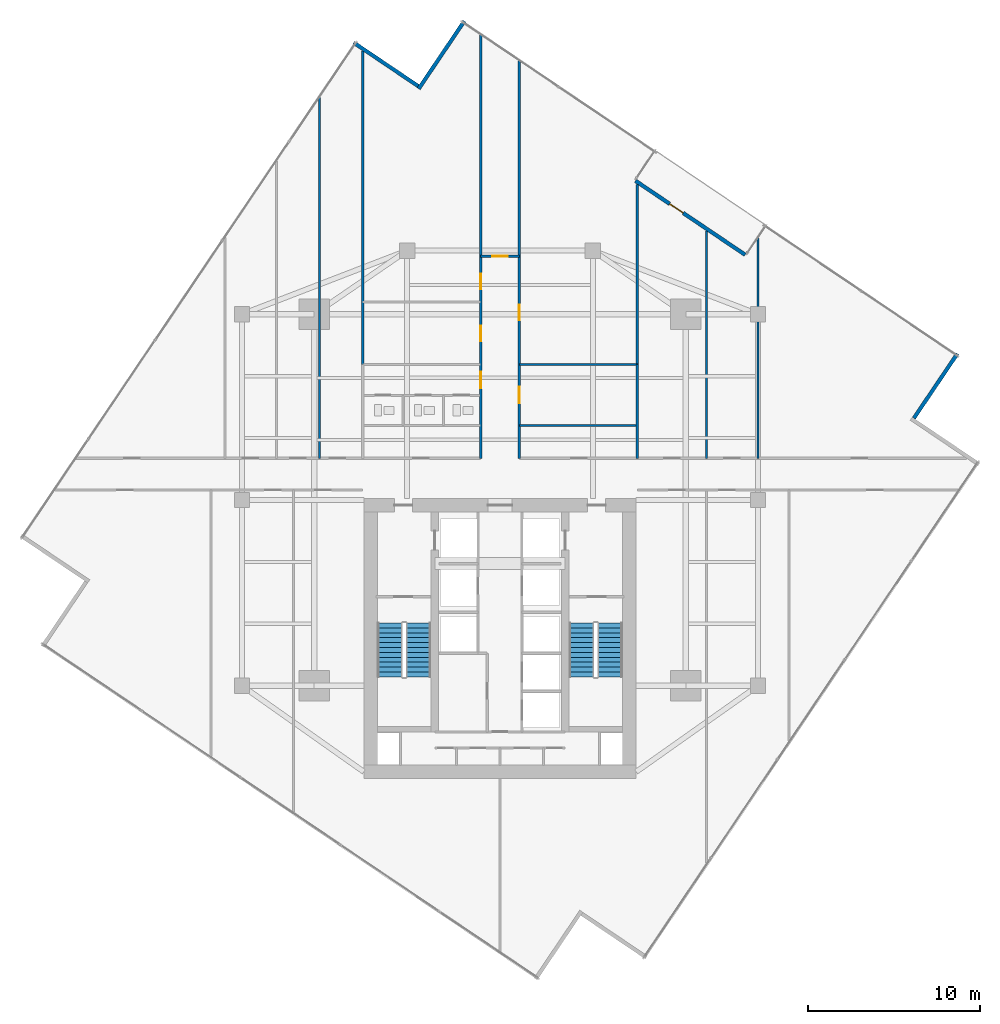
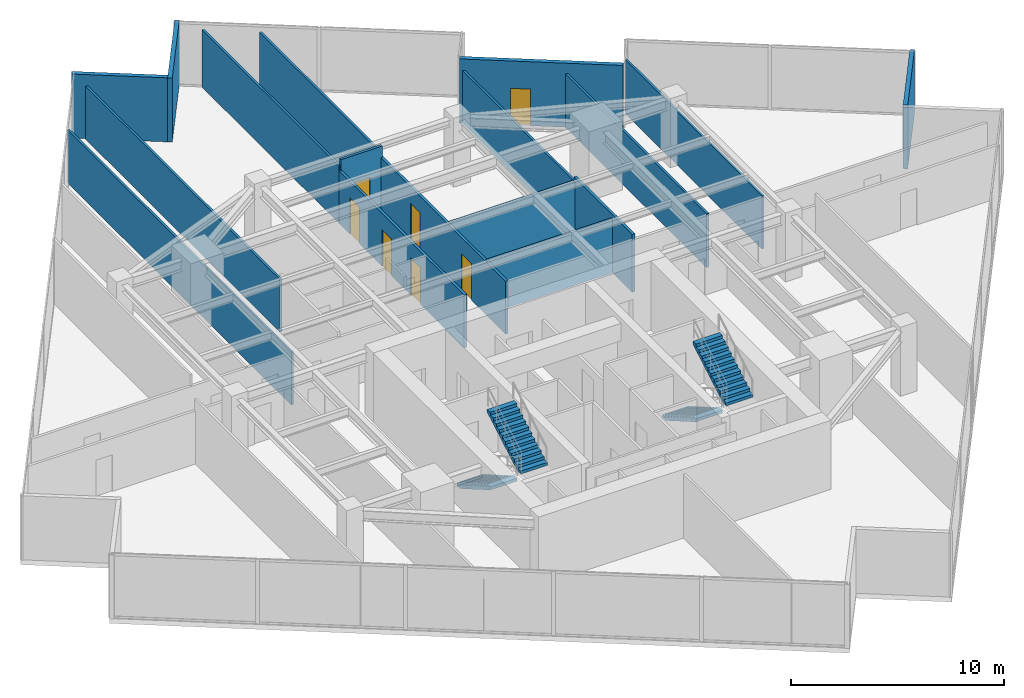
# One storey, part 25 of 27: 17 walls, 7 doors, 4 stair flights, 7 openings, 2 elements without a shape of their own.
"""IFC4 building model written with IfcOpenShell, lengths in metres."""

from ifc_helpers import new_model, si_unit, direction, frame, frame_2d, origin, place, context, subcontext, project, spatial, polyline, rectangle, outline, extrude, material, layer, layer_set, type_object, element, fill, aggregate, save


model = new_model("IFC4")

# Units and contexts
model_context = context("Model", 3, precision=1e-05, world=origin(), true_north=direction((0.0, 1.0)))
body_context = subcontext(model_context, "Body", "Model", "MODEL_VIEW")
ifc_project = project(units=[si_unit("LENGTHUNIT", "METRE"), si_unit("AREAUNIT", "SQUARE_METRE"), si_unit("VOLUMEUNIT", "CUBIC_METRE"), si_unit("PLANEANGLEUNIT", "RADIAN"), si_unit("MASSUNIT", "GRAM", prefix="KILO")], contexts=[model_context])

# Site, building, storey
site_placement = place(None, origin())
site = spatial("IfcSite", under=ifc_project, at=site_placement, CompositionType="ELEMENT")
building_placement = place(site_placement, origin())
building = spatial("IfcBuilding", under=site, at=building_placement, Name="Krantzveldt Concourse Tower", CompositionType="ELEMENT")
storey_placement = place(building_placement, frame((0.0, 0.0, 189.64990234375)))
storey = spatial("IfcBuildingStorey", under=building, at=storey_placement, Name="L46", CompositionType="ELEMENT", Elevation=189.64990234375)

# Walls
ifc_material_1 = material(Name="Anodised aluminium 6063-T6", Category="aluminium")
ifc_layer_1 = layer(ifc_material_1, 0.219970703125, Name="Anodised aluminium 6063-T6", Category="aluminium")
ifc_layer_set_1 = layer_set([ifc_layer_1], Name="Anodised aluminium 6063-T6 (WL-EXT-NOTCH220)")
wall_type_1 = type_object("IfcWallType", Name="WL-EXT-NOTCH220", PredefinedType="ELEMENTEDWALL", material=ifc_layer_set_1)
for number, where, z_axis, x_axis, name in (
    (1, (31.2431640625, 50.763916015625, 0.0), (0.0, 0.0, 1.0), (-0.829025013232, 0.559211522982, 0.0), "EW-L46-NCH00"),
    (2, (60.06396484375, 31.456787109375, 0.0), (0.0, 0.0, 1.0), (0.559211522982, 0.829025013232, 0.0), "EW-L46-NCH09"),
):
    element("IfcWall", number, at=place(storey_placement, frame(where, z_axis=z_axis, x_axis=x_axis)), inside=storey, type_object=wall_type_1, Name=name, PredefinedType="ELEMENTEDWALL", context=body_context, shape_type="SweptSolid", body=[
        extrude(rectangle(XDim=4.525146484375, YDim=0.219970703125, at=frame_2d((2.2626953125, 0.0))), origin(), (0.0, 0.0, 1.0), 3.670166015625),
    ])

# Wall, opening, door
wall_1_placement = place(storey_placement, frame((43.878662109375, 45.2568359375, 0.0), z_axis=(0.0, 0.0, 1.0), x_axis=(0.829039271094, -0.559190385274, 0.0)))
wall_1 = element("IfcWall", 3, at=wall_1_placement, inside=storey, type_object=wall_type_1, Name="EW-L46-TSLOT", PredefinedType="ELEMENTEDWALL", context=body_context, shape_type="SweptSolid", body=[
    extrude(rectangle(XDim=7.690185546875, YDim=0.219970703125, at=frame_2d((3.84521484375, 0.0))), origin(), (0.0, 0.0, 1.0), 3.670166015625),
])
opening_1_placement = place(wall_1_placement, frame((2.396728515625, 0.0, 0.0)))
opening_1 = element("IfcOpeningElement", 4, at=opening_1_placement, cuts=wall_1, Name="Opening D-EX95", PredefinedType="OPENING", context=body_context, shape_type="SweptSolid", body=[
    extrude(rectangle(XDim=0.949951171875, YDim=2.10009765625, at=frame_2d((0.47509765625, 1.050048828125))), frame((0.0, 0.1201171875, 0.0), z_axis=(0.0, -1.0, 0.0), x_axis=(1.0, 0.0, 0.0)), (0.0, 0.0, 1.0), 0.239990234375),
])
door_type_1 = type_object("IfcDoorType", Name="DR-EXT-950", OperationType="SINGLE_SWING_LEFT", PredefinedType="DOOR", material=ifc_material_1)
door_1_placement = place(opening_1_placement, origin())
door_1 = element("IfcDoor", 5, at=door_1_placement, inside=storey, type_object=door_type_1, Name="DR-L46-TERR", OperationType="SINGLE_SWING_LEFT", OverallHeight=2.10009765625, OverallWidth=0.949951171875, PredefinedType="DOOR", context=body_context, shape_type="SweptSolid", body=[
    extrude(rectangle(XDim=0.949951171875, YDim=2.10009765625, at=frame_2d((0.47509765625, 1.050048828125))), frame((0.0, 0.02490234375, 0.0), z_axis=(0.0, -1.0, 0.0), x_axis=(1.0, 0.0, 0.0)), (0.0, 0.0, 1.0), 0.050048828125),
])
fill(opening_1, door_1)

# Walls
wall_2_placement = place(storey_placement, frame((33.92626953125, 54.545166015625, 0.0), z_axis=(0.0, 0.0, 1.0), x_axis=(-0.559180323614, -0.829046057637, 0.0)))
element("IfcWall", 6, at=wall_2_placement, inside=storey, type_object=wall_type_1, Name="EW-L46-NCH15", PredefinedType="ELEMENTEDWALL", context=body_context, shape_type="SweptSolid", body=[
    extrude(rectangle(XDim=4.7451171875, YDim=0.219970703125, at=frame_2d((2.37255859375, 0.0))), origin(), (0.0, 0.0, 1.0), 3.670166015625),
])
ifc_material_2 = material(Name="Fire-rated gypsum plasterboard on steel stud", Category="steel")
ifc_layer_2 = layer(ifc_material_2, 0.1201171875, Name="Fire-rated gypsum plasterboard on steel stud", Category="steel")
ifc_layer_set_2 = layer_set([ifc_layer_2], Name="Fire-rated gypsum plasterboard on steel stud (WL-PART-120)")
wall_type_2 = type_object("IfcWallType", Name="WL-PART-120", PredefinedType="PARTITIONING", material=ifc_layer_set_2)
wall_3_placement = place(storey_placement, frame((37.1201171875, 31.02001953125, 0.0), z_axis=(0.0, 0.0, 1.0), x_axis=(1.0, 0.0, 0.0)))
element("IfcWall", 7, at=wall_3_placement, inside=storey, type_object=wall_type_2, Name="WP-L46-ISMR", PredefinedType="PARTITIONING", context=body_context, shape_type="SweptSolid", body=[
    extrude(rectangle(XDim=6.85986328125, YDim=0.1201171875, at=frame_2d((3.429931640625, 0.0))), origin(), (0.0, 0.0, 1.0), 3.080078125),
])
wall_4_placement = place(storey_placement, frame((34.8798828125, 40.8798828125, 0.0), z_axis=(0.0, 0.0, 1.0), x_axis=(0.0, 1.0, 0.0)))
element("IfcWall", 8, at=wall_4_placement, inside=storey, type_object=wall_type_2, Name="WP-L46-NTL", PredefinedType="PARTITIONING", context=body_context, shape_type="SweptSolid", body=[
    extrude(rectangle(XDim=12.88330078125, YDim=0.1201171875, at=frame_2d((6.441650390625, 0.0))), origin(), (0.0, 0.0, 1.0), 3.280029296875),
])
wall_5_placement = place(storey_placement, frame((37.1201171875, 40.8798828125, 0.0), z_axis=(0.0, 0.0, 1.0), x_axis=(0.0, 1.0, 0.0)))
element("IfcWall", 9, at=wall_5_placement, inside=storey, type_object=wall_type_2, Name="WP-L46-NTR", PredefinedType="PARTITIONING", context=body_context, shape_type="SweptSolid", body=[
    extrude(rectangle(XDim=11.372314453125, YDim=0.1201171875, at=frame_2d((5.68603515625, 0.0))), origin(), (0.0, 0.0, 1.0), 3.280029296875),
])
wall_6_placement = place(storey_placement, frame((25.5, 29.1201171875, 0.0), z_axis=(0.0, 0.0, 1.0), x_axis=(0.0, 1.0, 0.0)))
element("IfcWall", 10, at=wall_6_placement, inside=storey, type_object=wall_type_2, Name="WP-L46-NWX3", PredefinedType="PARTITIONING", context=body_context, shape_type="SweptSolid", body=[
    extrude(rectangle(XDim=21.015625, YDim=0.1201171875, at=frame_2d((10.5078125, 0.0))), origin(), (0.0, 0.0, 1.0), 3.030029296875),
])
wall_7_placement = place(storey_placement, frame((28.02001953125, 34.580078125, 0.0), z_axis=(0.0, 0.0, 1.0), x_axis=(0.0, 1.0, 0.0)))
element("IfcWall", 11, at=wall_7_placement, inside=storey, type_object=wall_type_2, Name="WP-L46-ISWL2", PredefinedType="PARTITIONING", context=body_context, shape_type="SweptSolid", body=[
    extrude(rectangle(XDim=18.21923828125, YDim=0.1201171875, at=frame_2d((9.109619140625, 0.0))), origin(), (0.0, 0.0, 1.0), 3.030029296875),
])
wall_8_placement = place(storey_placement, frame((43.97998046875, 34.580078125, 0.0), z_axis=(0.0, 0.0, 1.0), x_axis=(0.0, 1.0, 0.0)))
element("IfcWall", 12, at=wall_8_placement, inside=storey, type_object=wall_type_2, Name="WP-L46-ISER2", PredefinedType="PARTITIONING", context=body_context, shape_type="SweptSolid", body=[
    extrude(rectangle(XDim=10.4697265625, YDim=0.1201171875, at=frame_2d((5.23486328125, 0.0))), origin(), (0.0, 0.0, 1.0), 3.030029296875),
])
wall_9_placement = place(storey_placement, frame((48.0, 29.1201171875, 0.0), z_axis=(0.0, 0.0, 1.0), x_axis=(0.0, 1.0, 0.0)))
element("IfcWall", 13, at=wall_9_placement, inside=storey, type_object=wall_type_2, Name="WP-L46-NEX1", PredefinedType="PARTITIONING", context=body_context, shape_type="SweptSolid", body=[
    extrude(rectangle(XDim=13.218017578125, YDim=0.1201171875, at=frame_2d((6.60888671875, 0.0))), origin(), (0.0, 0.0, 1.0), 3.080078125),
])
wall_10_placement = place(storey_placement, frame((51.0, 29.1201171875, 0.0), z_axis=(0.0, 0.0, 1.0), x_axis=(0.0, 1.0, 0.0)))
element("IfcWall", 14, at=wall_10_placement, inside=storey, type_object=wall_type_2, Name="WP-L46-NEX2", PredefinedType="PARTITIONING", context=body_context, shape_type="SweptSolid", body=[
    extrude(rectangle(XDim=12.86181640625, YDim=0.1201171875, at=frame_2d((6.430908203125, 0.0))), origin(), (0.0, 0.0, 1.0), 3.080078125),
])

# Wall, openings, doors
ifc_layer_3 = layer(ifc_material_2, 0.139892578125, Name="Fire-rated gypsum plasterboard on steel stud", Category="steel")
ifc_layer_set_3 = layer_set([ifc_layer_3], Name="Fire-rated gypsum plasterboard on steel stud (WL-PART-140)")
wall_type_3 = type_object("IfcWallType", Name="WL-PART-140", PredefinedType="PARTITIONING", material=ifc_layer_set_3)
wall_11_placement = place(storey_placement, frame((34.8798828125, 29.1201171875, 0.0), z_axis=(0.0, 0.0, 1.0), x_axis=(0.0, 1.0, 0.0)))
wall_11 = element("IfcWall", 15, at=wall_11_placement, inside=storey, type_object=wall_type_3, Name="WP-L46-SPWL", PredefinedType="PARTITIONING", context=body_context, shape_type="SweptSolid", body=[
    extrude(rectangle(XDim=11.759765625, YDim=0.139892578125, at=frame_2d((5.8798828125, 0.0))), origin(), (0.0, 0.0, 1.0), 3.030029296875),
])
opening_2_placement = place(wall_11_placement, frame((4.0849609375, 0.0, 0.0)))
opening_2 = element("IfcOpeningElement", 16, at=opening_2_placement, cuts=wall_11, Name="Opening D-IN095", PredefinedType="OPENING", context=body_context, shape_type="SweptSolid", body=[
    extrude(rectangle(XDim=0.949951171875, YDim=2.10009765625, at=frame_2d((0.47509765625, 1.050048828125))), frame((0.0, 0.080078125, 0.0), z_axis=(0.0, -1.0, 0.0), x_axis=(1.0, 0.0, 0.0)), (0.0, 0.0, 1.0), 0.159912109375),
])
opening_3_placement = place(wall_11_placement, frame((6.820068359375, 0.0, 0.0)))
opening_3 = element("IfcOpeningElement", 17, at=opening_3_placement, cuts=wall_11, Name="Opening D-IN090", PredefinedType="OPENING", context=body_context, shape_type="SweptSolid", body=[
    extrude(rectangle(XDim=0.89990234375, YDim=2.10009765625, at=frame_2d((0.449951171875, 1.050048828125))), frame((0.0, 0.080078125, 0.0), z_axis=(0.0, -1.0, 0.0), x_axis=(1.0, 0.0, 0.0)), (0.0, 0.0, 1.0), 0.159912109375),
])
opening_4_placement = place(wall_11_placement, frame((9.830078125, 0.0, 0.0)))
opening_4 = element("IfcOpeningElement", 18, at=opening_4_placement, cuts=wall_11, Name="Opening D-IN090", PredefinedType="OPENING", context=body_context, shape_type="SweptSolid", body=[
    extrude(rectangle(XDim=0.89990234375, YDim=2.10009765625, at=frame_2d((0.449951171875, 1.050048828125))), frame((0.0, 0.080078125, 0.0), z_axis=(0.0, -1.0, 0.0), x_axis=(1.0, 0.0, 0.0)), (0.0, 0.0, 1.0), 0.159912109375),
])
ifc_material_3 = material(Name="Hardwood timber", Category="wood")
door_type_2 = type_object("IfcDoorType", Name="DR-INT-900", OperationType="SINGLE_SWING_LEFT", PredefinedType="DOOR", material=ifc_material_3)
door_2_placement = place(opening_3_placement, origin())
door_2 = element("IfcDoor", 19, at=door_2_placement, inside=storey, type_object=door_type_2, Name="DR-L46-NWI1", OperationType="SINGLE_SWING_LEFT", OverallHeight=2.10009765625, OverallWidth=0.89990234375, PredefinedType="DOOR", context=body_context, shape_type="SweptSolid", body=[
    extrude(rectangle(XDim=0.89990234375, YDim=2.10009765625, at=frame_2d((0.449951171875, 1.050048828125))), frame((0.0, 0.02490234375, 0.0), z_axis=(0.0, -1.0, 0.0), x_axis=(1.0, 0.0, 0.0)), (0.0, 0.0, 1.0), 0.050048828125),
])
fill(opening_3, door_2)
door_3_placement = place(opening_4_placement, origin())
door_3 = element("IfcDoor", 20, at=door_3_placement, inside=storey, type_object=door_type_2, Name="DR-L46-NWI2", OperationType="SINGLE_SWING_LEFT", OverallHeight=2.10009765625, OverallWidth=0.89990234375, PredefinedType="DOOR", context=body_context, shape_type="SweptSolid", body=[
    extrude(rectangle(XDim=0.89990234375, YDim=2.10009765625, at=frame_2d((0.449951171875, 1.050048828125))), frame((0.0, 0.02490234375, 0.0), z_axis=(0.0, -1.0, 0.0), x_axis=(1.0, 0.0, 0.0)), (0.0, 0.0, 1.0), 0.050048828125),
])
fill(opening_4, door_3)
door_type_3 = type_object("IfcDoorType", Name="DR-INT-950", OperationType="SINGLE_SWING_LEFT", PredefinedType="DOOR", material=ifc_material_3)
door_4_placement = place(opening_2_placement, origin())
door_4 = element("IfcDoor", 21, at=door_4_placement, inside=storey, type_object=door_type_3, Name="DR-L46-WCLB", OperationType="SINGLE_SWING_LEFT", OverallHeight=2.10009765625, OverallWidth=0.949951171875, PredefinedType="DOOR", context=body_context, shape_type="SweptSolid", body=[
    extrude(rectangle(XDim=0.949951171875, YDim=2.10009765625, at=frame_2d((0.47509765625, 1.050048828125))), frame((0.0, 0.02490234375, 0.0), z_axis=(0.0, -1.0, 0.0), x_axis=(1.0, 0.0, 0.0)), (0.0, 0.0, 1.0), 0.050048828125),
])
fill(opening_2, door_4)

wall_12_placement = place(storey_placement, frame((37.1201171875, 29.1201171875, 0.0), z_axis=(0.0, 0.0, 1.0), x_axis=(0.0, 1.0, 0.0)))
wall_12 = element("IfcWall", 22, at=wall_12_placement, inside=storey, type_object=wall_type_3, Name="WP-L46-SPER", PredefinedType="PARTITIONING", context=body_context, shape_type="SweptSolid", body=[
    extrude(rectangle(XDim=11.759765625, YDim=0.139892578125, at=frame_2d((5.8798828125, 0.0))), origin(), (0.0, 0.0, 1.0), 3.030029296875),
])
opening_5_placement = place(wall_12_placement, frame((3.205078125, 0.0, 0.0)))
opening_5 = element("IfcOpeningElement", 23, at=opening_5_placement, cuts=wall_12, Name="Opening D-IN095", PredefinedType="OPENING", context=body_context, shape_type="SweptSolid", body=[
    extrude(rectangle(XDim=0.949951171875, YDim=2.10009765625, at=frame_2d((0.47509765625, 1.050048828125))), frame((0.0, 0.080078125, 0.0), z_axis=(0.0, -1.0, 0.0), x_axis=(1.0, 0.0, 0.0)), (0.0, 0.0, 1.0), 0.159912109375),
])
opening_6_placement = place(wall_12_placement, frame((8.02001953125, 0.0, 0.0)))
opening_6 = element("IfcOpeningElement", 24, at=opening_6_placement, cuts=wall_12, Name="Opening D-IN090", PredefinedType="OPENING", context=body_context, shape_type="SweptSolid", body=[
    extrude(rectangle(XDim=0.89990234375, YDim=2.10009765625, at=frame_2d((0.449951171875, 1.050048828125))), frame((0.0, 0.080078125, 0.0), z_axis=(0.0, -1.0, 0.0), x_axis=(1.0, 0.0, 0.0)), (0.0, 0.0, 1.0), 0.159912109375),
])
door_5_placement = place(opening_6_placement, origin())
door_5 = element("IfcDoor", 25, at=door_5_placement, inside=storey, type_object=door_type_2, Name="DR-L46-NEI1", OperationType="SINGLE_SWING_LEFT", OverallHeight=2.10009765625, OverallWidth=0.89990234375, PredefinedType="DOOR", context=body_context, shape_type="SweptSolid", body=[
    extrude(rectangle(XDim=0.89990234375, YDim=2.10009765625, at=frame_2d((0.449951171875, 1.050048828125))), frame((0.0, 0.02490234375, 0.0), z_axis=(0.0, -1.0, 0.0), x_axis=(1.0, 0.0, 0.0)), (0.0, 0.0, 1.0), 0.050048828125),
])
fill(opening_6, door_5)
door_6_placement = place(opening_5_placement, origin())
door_6 = element("IfcDoor", 26, at=door_6_placement, inside=storey, type_object=door_type_3, Name="DR-L46-PNT", OperationType="SINGLE_SWING_RIGHT", OverallHeight=2.10009765625, OverallWidth=0.949951171875, PredefinedType="DOOR", context=body_context, shape_type="SweptSolid", body=[
    extrude(rectangle(XDim=0.949951171875, YDim=2.10009765625, at=frame_2d((0.47509765625, 1.050048828125))), frame((0.0, 0.02490234375, 0.0), z_axis=(0.0, -1.0, 0.0), x_axis=(1.0, 0.0, 0.0)), (0.0, 0.0, 1.0), 0.050048828125),
])
fill(opening_5, door_6)

# Wall, opening, door
wall_13_placement = place(storey_placement, frame((34.8798828125, 40.8798828125, 0.0), z_axis=(0.0, 0.0, 1.0), x_axis=(1.0, 0.0, 0.0)))
wall_13 = element("IfcWall", 27, at=wall_13_placement, inside=storey, type_object=wall_type_3, Name="WP-L46-SPTOP", PredefinedType="PARTITIONING", context=body_context, shape_type="SweptSolid", body=[
    extrude(rectangle(XDim=2.240234375, YDim=0.139892578125, at=frame_2d((1.1201171875, 0.0))), origin(), (0.0, 0.0, 1.0), 3.670166015625),
])
opening_7_placement = place(wall_13_placement, frame((0.669921875, 0.0, 0.0)))
opening_7 = element("IfcOpeningElement", 28, at=opening_7_placement, cuts=wall_13, Name="Opening D-IN090", PredefinedType="OPENING", context=body_context, shape_type="SweptSolid", body=[
    extrude(rectangle(XDim=0.89990234375, YDim=2.10009765625, at=frame_2d((0.449951171875, 1.050048828125))), frame((0.0, 0.080078125, 0.0), z_axis=(0.0, -1.0, 0.0), x_axis=(1.0, 0.0, 0.0)), (0.0, 0.0, 1.0), 0.159912109375),
])
door_7_placement = place(opening_7_placement, origin())
door_7 = element("IfcDoor", 29, at=door_7_placement, inside=storey, type_object=door_type_2, Name="DR-L46-NTOP", OperationType="SINGLE_SWING_LEFT", OverallHeight=2.10009765625, OverallWidth=0.89990234375, PredefinedType="DOOR", context=body_context, shape_type="SweptSolid", body=[
    extrude(rectangle(XDim=0.89990234375, YDim=2.10009765625, at=frame_2d((0.449951171875, 1.050048828125))), frame((0.0, 0.02490234375, 0.0), z_axis=(0.0, -1.0, 0.0), x_axis=(1.0, 0.0, 0.0)), (0.0, 0.0, 1.0), 0.050048828125),
])
fill(opening_7, door_7)

# Walls
wall_14_placement = place(storey_placement, frame((37.1201171875, 34.580078125, 0.0), z_axis=(0.0, 0.0, 1.0), x_axis=(1.0, 0.0, 0.0)))
element("IfcWall", 30, at=wall_14_placement, inside=storey, type_object=wall_type_3, Name="WP-L46-ISNR", PredefinedType="PARTITIONING", context=body_context, shape_type="SweptSolid", body=[
    extrude(rectangle(XDim=6.85986328125, YDim=0.139892578125, at=frame_2d((3.429931640625, 0.0))), origin(), (0.0, 0.0, 1.0), 3.080078125),
])
wall_15_placement = place(storey_placement, frame((43.97998046875, 29.1201171875, 0.0), z_axis=(0.0, 0.0, 1.0), x_axis=(0.0, 1.0, 0.0)))
element("IfcWall", 31, at=wall_15_placement, inside=storey, type_object=wall_type_3, Name="WP-L46-ISER", PredefinedType="PARTITIONING", context=body_context, shape_type="SweptSolid", body=[
    extrude(rectangle(XDim=5.4599609375, YDim=0.139892578125, at=frame_2d((2.72998046875, 0.0))), origin(), (0.0, 0.0, 1.0), 3.31005859375),
])

# Stair, stair flights
ifc_material_4 = material(Name="Precast concrete C40/50", Category="concrete")
stair_type = type_object("IfcStairType", Name="STR-CORE-DOGLEG", PredefinedType="HALF_TURN_STAIR", material=ifc_material_4)
stair_1_placement = place(storey_placement, origin())
stair_1 = element("IfcStair", 32, at=stair_1_placement, inside=storey, type_object=stair_type, Name="L46 Protected Escape Stair ST-1", PredefinedType="HALF_TURN_STAIR")
stair_flight_type = type_object("IfcStairFlightType", Name="STF-CORE-1450", PredefinedType="STRAIGHT", material=ifc_material_4)
stair_flight_1_placement = place(storey_placement, frame((29.60498046875, 19.550048828125, 0.0), z_axis=(0.0, 0.0, 1.0), x_axis=(0.0, -1.0, 0.0)))
stair_flight_1 = element("IfcStairFlight", 33, at=stair_flight_1_placement, type_object=stair_flight_type, Name="ST-1 flight 1", NumberOfRisers=12, NumberOfTreads=11, PredefinedType="STRAIGHT", RiserHeight=0.164583333, TreadLength=0.285, context=body_context, shape_type="SweptSolid", body=[
    extrude(outline(polyline([(0.0, 0.0), (0.0, 0.16455078125), (0.284912109375, 0.16455078125), (0.284912109375, 0.3291015625), (0.570068359375, 0.3291015625), (0.570068359375, 0.49365234375), (0.85498046875, 0.49365234375), (0.85498046875, 0.658447265625), (1.139892578125, 0.658447265625), (1.139892578125, 0.822998046875), (1.425048828125, 0.822998046875), (1.425048828125, 0.987548828125), (1.7099609375, 0.987548828125), (1.7099609375, 1.152099609375), (1.9951171875, 1.152099609375), (1.9951171875, 1.316650390625), (2.280029296875, 1.316650390625), (2.280029296875, 1.481201171875), (2.56494140625, 1.481201171875), (2.56494140625, 1.645751953125), (2.85009765625, 1.645751953125), (2.85009765625, 1.810302734375), (3.135009765625, 1.810302734375), (3.135009765625, 1.97509765625), (3.135009765625, 1.63720703125), (0.2998046875, 0.0), (0.0, 0.0)])), frame((0.0, 0.72509765625, 0.0), z_axis=(0.0, -1.0, 0.0), x_axis=(1.0, 0.0, 0.0)), (0.0, 0.0, 1.0), 1.449951171875),
])
stair_flight_2_placement = place(storey_placement, frame((31.2548828125, 16.4150390625, 1.97509765625), z_axis=(0.0, 0.0, 1.0), x_axis=(0.0, 1.0, 0.0)))
stair_flight_2 = element("IfcStairFlight", 34, at=stair_flight_2_placement, type_object=stair_flight_type, Name="ST-1 flight 2", NumberOfRisers=12, NumberOfTreads=11, PredefinedType="STRAIGHT", RiserHeight=0.164583333, TreadLength=0.285, context=body_context, shape_type="SweptSolid", body=[
    extrude(outline(polyline([(0.0, 0.0), (0.0, 0.16455078125), (0.284912109375, 0.16455078125), (0.284912109375, 0.3291015625), (0.570068359375, 0.3291015625), (0.570068359375, 0.49365234375), (0.85498046875, 0.49365234375), (0.85498046875, 0.658447265625), (1.139892578125, 0.658447265625), (1.139892578125, 0.822998046875), (1.425048828125, 0.822998046875), (1.425048828125, 0.987548828125), (1.7099609375, 0.987548828125), (1.7099609375, 1.152099609375), (1.9951171875, 1.152099609375), (1.9951171875, 1.316650390625), (2.280029296875, 1.316650390625), (2.280029296875, 1.481201171875), (2.56494140625, 1.481201171875), (2.56494140625, 1.645751953125), (2.85009765625, 1.645751953125), (2.85009765625, 1.810302734375), (3.135009765625, 1.810302734375), (3.135009765625, 1.97509765625), (3.135009765625, 1.63720703125), (0.2998046875, 0.0), (0.0, 0.0)])), frame((0.0, 0.72509765625, 0.0), z_axis=(0.0, -1.0, 0.0), x_axis=(1.0, 0.0, 0.0)), (0.0, 0.0, 1.0), 1.449951171875),
])
aggregate(stair_1, [stair_flight_1, stair_flight_2])

stair_2_placement = place(storey_placement, origin())
stair_2 = element("IfcStair", 35, at=stair_2_placement, inside=storey, type_object=stair_type, Name="L46 Protected Escape Stair ST-2", PredefinedType="HALF_TURN_STAIR")
stair_flight_3_placement = place(storey_placement, frame((40.7451171875, 19.550048828125, 0.0), z_axis=(0.0, 0.0, 1.0), x_axis=(0.0, -1.0, 0.0)))
stair_flight_3 = element("IfcStairFlight", 36, at=stair_flight_3_placement, type_object=stair_flight_type, Name="ST-2 flight 1", NumberOfRisers=12, NumberOfTreads=11, PredefinedType="STRAIGHT", RiserHeight=0.164583333, TreadLength=0.285, context=body_context, shape_type="SweptSolid", body=[
    extrude(outline(polyline([(0.0, 0.0), (0.0, 0.16455078125), (0.284912109375, 0.16455078125), (0.284912109375, 0.3291015625), (0.570068359375, 0.3291015625), (0.570068359375, 0.49365234375), (0.85498046875, 0.49365234375), (0.85498046875, 0.658447265625), (1.139892578125, 0.658447265625), (1.139892578125, 0.822998046875), (1.425048828125, 0.822998046875), (1.425048828125, 0.987548828125), (1.7099609375, 0.987548828125), (1.7099609375, 1.152099609375), (1.9951171875, 1.152099609375), (1.9951171875, 1.316650390625), (2.280029296875, 1.316650390625), (2.280029296875, 1.481201171875), (2.56494140625, 1.481201171875), (2.56494140625, 1.645751953125), (2.85009765625, 1.645751953125), (2.85009765625, 1.810302734375), (3.135009765625, 1.810302734375), (3.135009765625, 1.97509765625), (3.135009765625, 1.63720703125), (0.2998046875, 0.0), (0.0, 0.0)])), frame((0.0, 0.72509765625, 0.0), z_axis=(0.0, -1.0, 0.0), x_axis=(1.0, 0.0, 0.0)), (0.0, 0.0, 1.0), 1.449951171875),
])
stair_flight_4_placement = place(storey_placement, frame((42.39501953125, 16.4150390625, 1.97509765625), z_axis=(0.0, 0.0, 1.0), x_axis=(0.0, 1.0, 0.0)))
stair_flight_4 = element("IfcStairFlight", 37, at=stair_flight_4_placement, type_object=stair_flight_type, Name="ST-2 flight 2", NumberOfRisers=12, NumberOfTreads=11, PredefinedType="STRAIGHT", RiserHeight=0.164583333, TreadLength=0.285, context=body_context, shape_type="SweptSolid", body=[
    extrude(outline(polyline([(0.0, 0.0), (0.0, 0.16455078125), (0.284912109375, 0.16455078125), (0.284912109375, 0.3291015625), (0.570068359375, 0.3291015625), (0.570068359375, 0.49365234375), (0.85498046875, 0.49365234375), (0.85498046875, 0.658447265625), (1.139892578125, 0.658447265625), (1.139892578125, 0.822998046875), (1.425048828125, 0.822998046875), (1.425048828125, 0.987548828125), (1.7099609375, 0.987548828125), (1.7099609375, 1.152099609375), (1.9951171875, 1.152099609375), (1.9951171875, 1.316650390625), (2.280029296875, 1.316650390625), (2.280029296875, 1.481201171875), (2.56494140625, 1.481201171875), (2.56494140625, 1.645751953125), (2.85009765625, 1.645751953125), (2.85009765625, 1.810302734375), (3.135009765625, 1.810302734375), (3.135009765625, 1.97509765625), (3.135009765625, 1.63720703125), (0.2998046875, 0.0), (0.0, 0.0)])), frame((0.0, 0.72509765625, 0.0), z_axis=(0.0, -1.0, 0.0), x_axis=(1.0, 0.0, 0.0)), (0.0, 0.0, 1.0), 1.449951171875),
])
aggregate(stair_2, [stair_flight_3, stair_flight_4])

save(model, "model.ifc")
